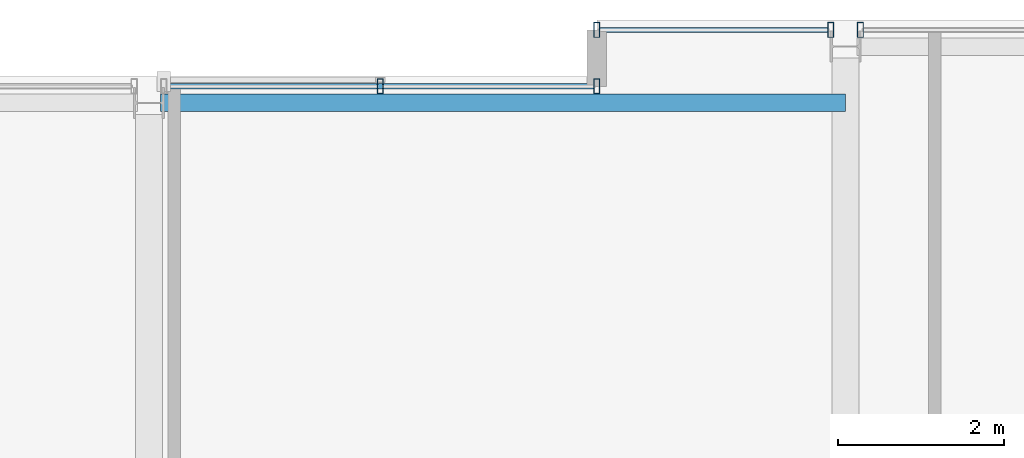
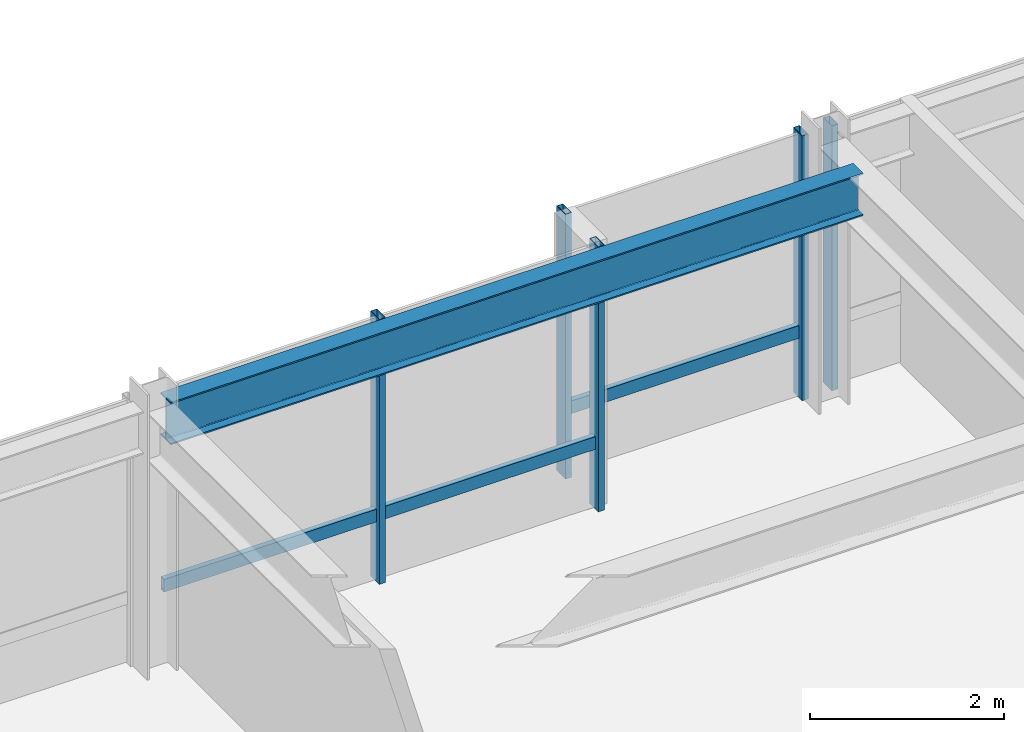
# One storey, part 22 of 33: 7 members, 1 beam, 3 elements without a shape of their own.
"""IFC4 building model written with IfcOpenShell, lengths in metres."""

from ifc_helpers import new_model, si_unit, direction, frame, origin, origin_2d, place, context, subcontext, project, spatial, hollow_rectangle, i_section, extrude, material, layer, layer_set, material_profile, profile_set, type_object, element, aggregate, save


model = new_model("IFC4")

# Units and contexts
model_context = context("Model", 3, precision=1e-05, world=origin(), true_north=direction((0.0, 1.0)))
body_context = subcontext(model_context, "Body", "Model", "MODEL_VIEW")
ifc_project = project(units=[si_unit("LENGTHUNIT", "METRE"), si_unit("AREAUNIT", "SQUARE_METRE"), si_unit("VOLUMEUNIT", "CUBIC_METRE"), si_unit("PLANEANGLEUNIT", "RADIAN"), si_unit("MASSUNIT", "GRAM", prefix="KILO")], contexts=[model_context])

# Site, building, storey
site_placement = place(None, origin())
site = spatial("IfcSite", under=ifc_project, at=site_placement, CompositionType="ELEMENT")
building_placement = place(site_placement, origin())
building = spatial("IfcBuilding", under=site, at=building_placement, Name="Drelvath Grand Hotel", CompositionType="ELEMENT")
storey_placement = place(building_placement, frame((0.0, 0.0, 248.300048828125)))
storey = spatial("IfcBuildingStorey", under=building, at=storey_placement, Name="L65", CompositionType="ELEMENT", Elevation=248.300048828125)

# Curtain wall, member
ifc_material_1 = material(Name="Platinum-Mist Anodised Aluminium Frame", Category="aluminium")
ifc_layer = layer(ifc_material_1, 0.199951171875)
ifc_layer_set = layer_set([ifc_layer], Name="Platinum-Mist Anodised Aluminium Frame")
curtain_wall_type = type_object("IfcCurtainWallType", Name="Stick Curtain Wall CW-05 Platinum Mist High-Rise", PredefinedType="NOTDEFINED", material=ifc_layer_set)
curtain_wall_1_placement = place(storey_placement, origin())
curtain_wall_1 = element("IfcCurtainWall", 1, at=curtain_wall_1_placement, inside=storey, type_object=curtain_wall_type, Name="L65 CW-05 Curtain Wall CW05-L65-NM2", PredefinedType="NOTDEFINED")
ifc_material_profile_1 = material_profile(ifc_material_1, hollow_rectangle(XDim=0.06494140625, YDim=0.159912109375, WallThickness=0.00390625, at=origin_2d()), Name="HSS160X65X4")
ifc_profile_set_1 = profile_set([ifc_material_profile_1], Name="Platinum-Mist Anodised Aluminium Frame")
member_type_1 = type_object("IfcMemberType", Name="Curtain Wall Horizontal Transom CW-05 HSS160X65X4", PredefinedType="USERDEFINED", material=ifc_profile_set_1)
member_1_placement = place(storey_placement, frame((0.21826171875, 48.39990234375, 0.8349609375), z_axis=(1.0, 0.0, 0.0), x_axis=(0.0, 1.0, 0.0)))
member_1 = element("IfcMember", 2, at=member_1_placement, type_object=member_type_1, Name="CW05-L65-NM2 Sill Transom", ObjectType="TRANSOM", PredefinedType="USERDEFINED", context=body_context, shape_type="SweptSolid", body=[
    extrude(hollow_rectangle(XDim=0.06494140625, YDim=0.159912109375, WallThickness=0.00390625, at=origin_2d()), origin(), (0.0, 0.0, 1.0), 5.141845703125),
])

curtain_wall_2_placement = place(storey_placement, origin())
curtain_wall_2 = element("IfcCurtainWall", 3, at=curtain_wall_2_placement, inside=storey, type_object=curtain_wall_type, Name="L65 CW-05 Curtain Wall CW05-L65-NE1", PredefinedType="NOTDEFINED")
member_2_placement = place(storey_placement, frame((5.43994140625, 49.080078125, 0.8349609375), z_axis=(1.0, 0.0, 0.0), x_axis=(0.0, 1.0, 0.0)))
member_2 = element("IfcMember", 4, at=member_2_placement, type_object=member_type_1, Name="CW05-L65-NE1 Sill Transom", ObjectType="TRANSOM", PredefinedType="USERDEFINED", context=body_context, shape_type="SweptSolid", body=[
    extrude(hollow_rectangle(XDim=0.06494140625, YDim=0.159912109375, WallThickness=0.00390625, at=origin_2d()), origin(), (0.0, 0.0, 1.0), 2.741943359375),
])

# Member
ifc_material_profile_2 = material_profile(ifc_material_1, hollow_rectangle(XDim=0.074951171875, YDim=0.179931640625, WallThickness=0.0048828125, at=origin_2d()), Name="HSS180X75X5")
ifc_profile_set_2 = profile_set([ifc_material_profile_2], Name="Platinum-Mist Anodised Aluminium Frame")
member_type_2 = type_object("IfcMemberType", Name="Curtain Wall Vertical Mullion CW-05 HSS180X75X5", PredefinedType="MULLION", material=ifc_profile_set_2)
member_3_placement = place(storey_placement, frame((2.7890625, 48.39990234375, 0.0), z_axis=(0.0, 0.0, 1.0), x_axis=(1.0, 0.0, 0.0)))
member_3 = element("IfcMember", 5, at=member_3_placement, type_object=member_type_2, Name="CW05-L65-NM2 Mullion 2", PredefinedType="MULLION", context=body_context, shape_type="SweptSolid", body=[
    extrude(hollow_rectangle(XDim=0.074951171875, YDim=0.179931640625, WallThickness=0.0048828125, at=origin_2d()), origin(), (0.0, 0.0, 1.0), 3.33984375),
])

member_4_placement = place(storey_placement, frame((5.39990234375, 48.39990234375, 0.0), z_axis=(0.0, 0.0, 1.0), x_axis=(1.0, 0.0, 0.0)))
member_4 = element("IfcMember", 6, at=member_4_placement, type_object=member_type_2, Name="CW05-L65-NM2 Mullion 3", PredefinedType="MULLION", context=body_context, shape_type="SweptSolid", body=[
    extrude(hollow_rectangle(XDim=0.074951171875, YDim=0.179931640625, WallThickness=0.0048828125, at=origin_2d()), origin(), (0.0, 0.0, 1.0), 3.33984375),
])

aggregate(curtain_wall_1, [member_3, member_4, member_1])

member_5_placement = place(storey_placement, frame((5.39990234375, 49.080078125, 0.0), z_axis=(0.0, 0.0, 1.0), x_axis=(1.0, 0.0, 0.0)))
member_5 = element("IfcMember", 7, at=member_5_placement, type_object=member_type_2, Name="CW05-L65-NE1 Mullion 1", PredefinedType="MULLION", context=body_context, shape_type="SweptSolid", body=[
    extrude(hollow_rectangle(XDim=0.074951171875, YDim=0.179931640625, WallThickness=0.0048828125, at=origin_2d()), origin(), (0.0, 0.0, 1.0), 3.33984375),
])

member_6_placement = place(storey_placement, frame((8.2216796875, 49.080078125, 0.0), z_axis=(0.0, 0.0, 1.0), x_axis=(1.0, 0.0, 0.0)))
member_6 = element("IfcMember", 8, at=member_6_placement, type_object=member_type_2, Name="CW05-L65-NE1 Mullion 2", PredefinedType="MULLION", context=body_context, shape_type="SweptSolid", body=[
    extrude(hollow_rectangle(XDim=0.074951171875, YDim=0.179931640625, WallThickness=0.0048828125, at=origin_2d()), origin(), (0.0, 0.0, 1.0), 3.33984375),
])

aggregate(curtain_wall_2, [member_5, member_6, member_2])

# Curtain wall, member
curtain_wall_3_placement = place(storey_placement, origin())
curtain_wall_3 = element("IfcCurtainWall", 9, at=curtain_wall_3_placement, inside=storey, type_object=curtain_wall_type, Name="L65 CW-05 Curtain Wall CW05-L65-NE2", PredefinedType="NOTDEFINED")
member_7_placement = place(storey_placement, frame((8.578125, 49.080078125, 0.0), z_axis=(0.0, 0.0, 1.0), x_axis=(1.0, 0.0, 0.0)))
member_7 = element("IfcMember", 10, at=member_7_placement, type_object=member_type_2, Name="CW05-L65-NE2 Mullion 1", PredefinedType="MULLION", context=body_context, shape_type="SweptSolid", body=[
    extrude(hollow_rectangle(XDim=0.074951171875, YDim=0.179931640625, WallThickness=0.0048828125, at=origin_2d()), origin(), (0.0, 0.0, 1.0), 3.33984375),
])
aggregate(curtain_wall_3, [member_7])

# Beam
ifc_material_2 = material(Name="Steel ASTM A992 Gr 50", Category="steel")
ifc_material_profile_3 = material_profile(ifc_material_2, i_section(OverallWidth=0.210205078125, OverallDepth=0.53662109375, WebThickness=0.010986328125, FlangeThickness=0.017333984375, FilletRadius=0.01806640625, at=origin_2d()), Name="W21X68")
ifc_profile_set_3 = profile_set([ifc_material_profile_3], Name="Steel ASTM A992 Gr 50")
beam_type = type_object("IfcBeamType", Name="Perimeter Spandrel Beam W21X68", PredefinedType="SPANDREL", material=ifc_profile_set_3)
beam_placement = place(storey_placement, frame((0.139892578125, 48.199951171875, 3.071533203125), z_axis=(1.0, 0.0, 0.0), x_axis=(0.0, 1.0, 0.0)))
element("IfcBeam", 11, at=beam_placement, inside=storey, type_object=beam_type, Name="L65 Spandrel North Mid E", PredefinedType="SPANDREL", context=body_context, shape_type="SweptSolid", body=[
    extrude(i_section(OverallWidth=0.210205078125, OverallDepth=0.53662109375, WebThickness=0.010986328125, FlangeThickness=0.017333984375, FilletRadius=0.01806640625, at=origin_2d()), origin(), (0.0, 0.0, 1.0), 8.260009765625),
])

save(model, "model.ifc")
